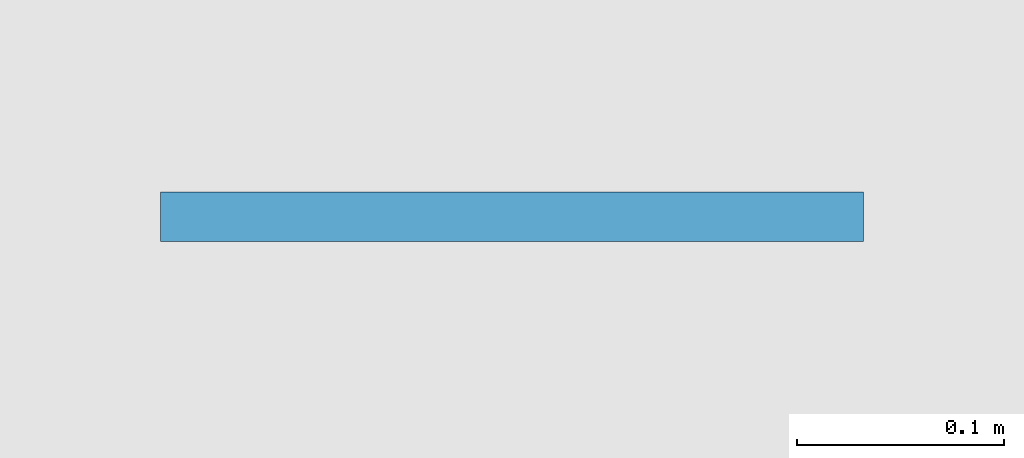
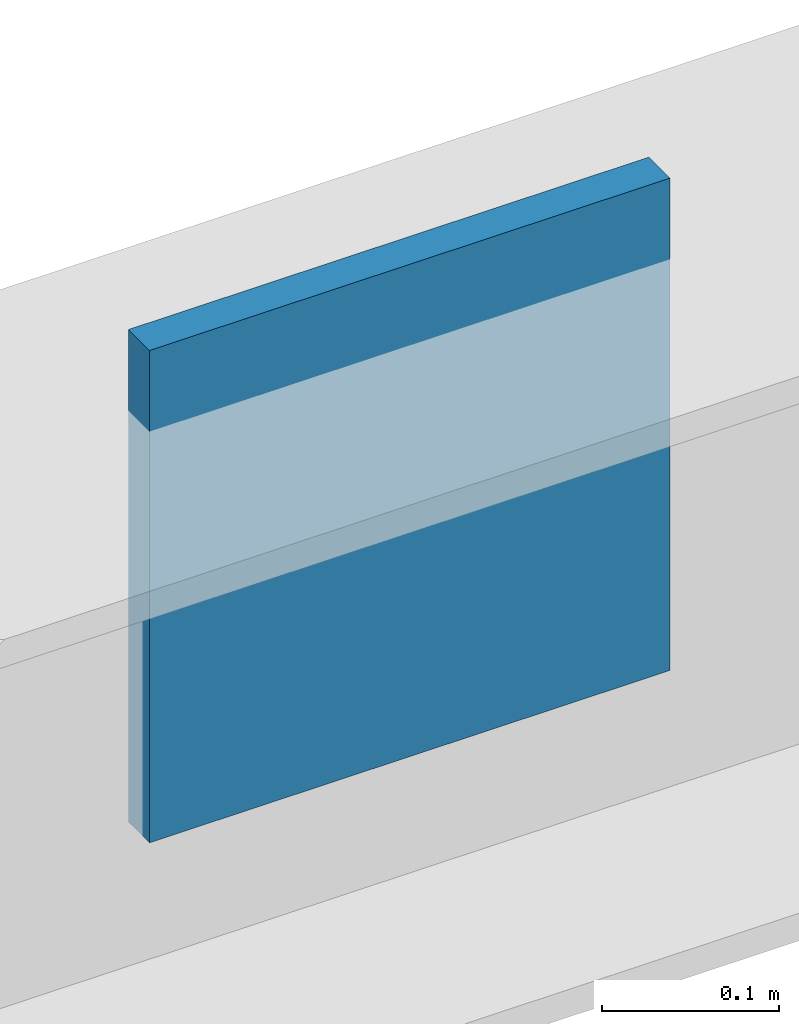
# One storey, part 75 of 110: 1 plate.
"""IFC4 building model written with IfcOpenShell, lengths in metres."""

from ifc_helpers import new_model, si_unit, direction, frame, origin, origin_2d, place, context, subcontext, project, spatial, rectangle, extrude, material, layer, layer_set, type_object, element, save


model = new_model("IFC4")

# Units and contexts
model_context = context("Model", 3, precision=1e-05, world=origin(), true_north=direction((0.0, 1.0)))
body_context = subcontext(model_context, "Body", "Model", "MODEL_VIEW")
ifc_project = project(units=[si_unit("LENGTHUNIT", "METRE"), si_unit("AREAUNIT", "SQUARE_METRE"), si_unit("VOLUMEUNIT", "CUBIC_METRE"), si_unit("PLANEANGLEUNIT", "RADIAN"), si_unit("MASSUNIT", "GRAM", prefix="KILO")], contexts=[model_context])

# Site, building, storey
site_placement = place(None, origin())
site = spatial("IfcSite", under=ifc_project, at=site_placement, CompositionType="ELEMENT")
building_placement = place(site_placement, origin())
building = spatial("IfcBuilding", under=site, at=building_placement, Name="Tamarisk Ironworks Central Station", CompositionType="ELEMENT")
storey_placement = place(building_placement, frame((0.0, 0.0, 17.39990234375)))
storey = spatial("IfcBuildingStorey", under=building, at=storey_placement, Name="L03", CompositionType="ELEMENT", Elevation=17.39990234375)

# Plate
ifc_material = material(Name="Painted structural steel S355J2", Category="steel")
ifc_layer = layer(ifc_material, 0.01611328125)
ifc_layer_set = layer_set([ifc_layer], Name="Painted structural steel S355J2")
plate_type = type_object("IfcPlateType", Name="PL-EC16", PredefinedType="SHEET", material=ifc_layer_set)
plate_placement = place(storey_placement, frame((49.5, 21.60009765625, -1.89013671875), z_axis=(0.0, 0.0, 1.0), x_axis=(1.0, 0.0, 0.0)))
element("IfcPlate", 1, at=plate_placement, inside=storey, type_object=plate_type, Name="Hollow section welded end-cap plate 33", PredefinedType="SHEET", context=body_context, shape_type="SweptSolid", body=[
    extrude(rectangle(XDim=0.340087890625, YDim=0.02392578125, at=origin_2d()), origin(), (0.0, 0.0, 1.0), 0.340087890625),
])

save(model, "model.ifc")
